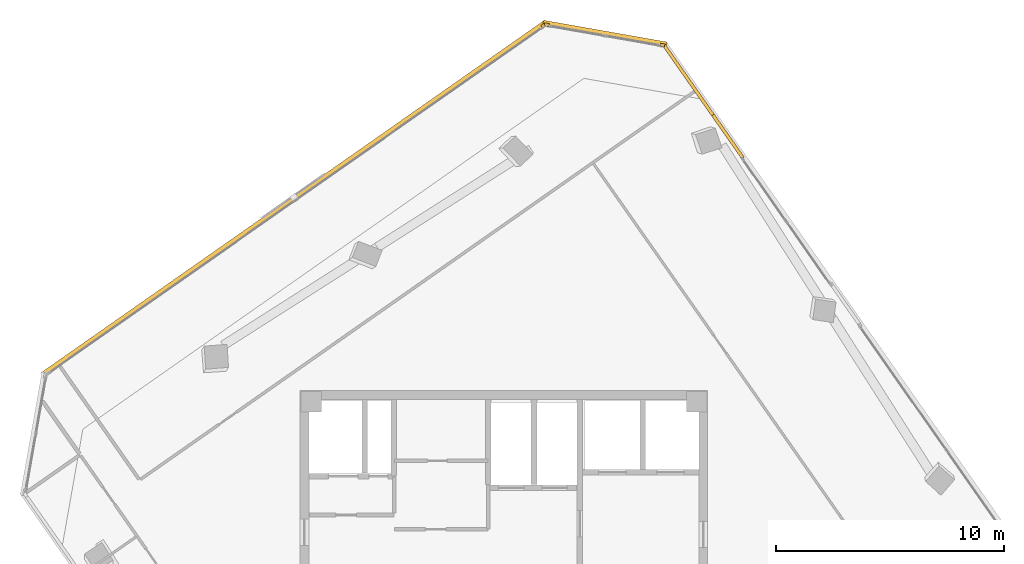
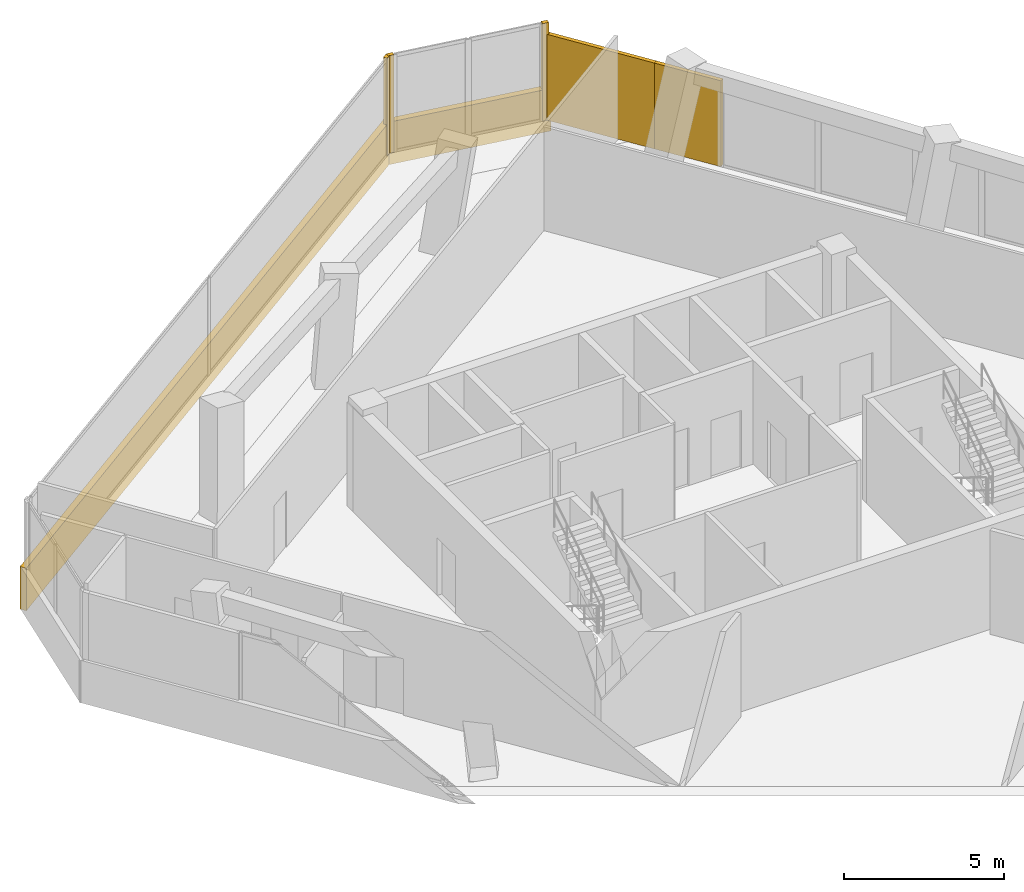
# One storey, part 15 of 15: 7 coverings.
"""IFC4 building model written with IfcOpenShell, lengths in metres."""

from ifc_helpers import new_model, si_unit, direction, frame, origin, origin_2d, place, context, subcontext, project, spatial, rectangle, extrude, source, transform, mapped, material, layer, layer_set, type_object, element, save


model = new_model("IFC4")

# Units and contexts
model_context = context("Model", 3, precision=1e-05, world=origin(), true_north=direction((0.0, 1.0)))
body_context = subcontext(model_context, "Body", "Model", "MODEL_VIEW")
ifc_project = project(units=[si_unit("LENGTHUNIT", "METRE"), si_unit("AREAUNIT", "SQUARE_METRE"), si_unit("VOLUMEUNIT", "CUBIC_METRE"), si_unit("PLANEANGLEUNIT", "RADIAN"), si_unit("MASSUNIT", "GRAM", prefix="KILO")], contexts=[model_context])

# Site, building, storey
site_placement = place(None, origin())
site = spatial("IfcSite", under=ifc_project, at=site_placement, CompositionType="ELEMENT")
building_placement = place(site_placement, origin())
building = spatial("IfcBuilding", under=site, at=building_placement, Name="Torre Montelarca", CompositionType="ELEMENT")
storey_placement = place(building_placement, frame((0.0, 0.0, 303.0)))
storey = spatial("IfcBuildingStorey", under=building, at=storey_placement, Name="L68", CompositionType="ELEMENT", Elevation=303.0)

# Coverings
ifc_material = material(Name="Bush-hammered warm white precast concrete C45/55", Category="concrete")
ifc_layer = layer(ifc_material, 0.139892578125, Name="Bush-hammered warm white precast concrete C45/55", Category="concrete")
ifc_layer_set = layer_set([ifc_layer], Name="Bush-hammered warm white precast concrete C45/55")
covering_type = type_object("IfcCoveringType", Name="COV-TRAY-CLAD", PredefinedType="CLADDING", material=ifc_layer_set)
shared_shape_1 = source(origin(), body_context, "Body", "SweptSolid", [
    extrude(rectangle(XDim=0.199951171875, YDim=0.139892578125, at=origin_2d()), origin(), (0.0, 0.0, 1.0), 3.719970703125),
])
for number, where, z_axis, x_axis, name in (
    (1, (24.947021484375, 55.067138671875, 0.0), (0.0, 0.0, 1.0), (-0.984808056084, 0.173646458853, 0.0), "L68 Architectural Column Pier Cladding E09-1"),
    (2, (19.883056640625, 55.9599609375, 0.0), (0.0, 0.0, 1.0), (-0.984808056084, 0.173646458853, 0.0), "L68 Architectural Column Pier Cladding E09-2"),
    (3, (19.7412109375, 55.9287109375, 0.0), (0.0, 0.0, 1.0), (-0.819153045367, -0.57357500666, 0.0), "L68 Architectural Column Pier Cladding E10-1"),
):
    element("IfcCovering", number, at=place(storey_placement, frame(where, z_axis=z_axis, x_axis=x_axis)), inside=storey, type_object=covering_type, Name=name, PredefinedType="CLADDING", context=body_context, shape_type="MappedRepresentation", body=[
        mapped(shared_shape_1, transform((0.0, 0.0, 0.0), scale=1.0)),
    ])
shared_shape_2 = source(origin(), body_context, "Body", "SweptSolid", [
    extrude(rectangle(XDim=5.493896484375, YDim=0.219970703125, at=origin_2d()), origin(), (0.0, 0.0, 1.0), 1.6201171875),
])
covering_1_placement = place(storey_placement, frame((22.42529296875, 55.57275390625, -0.449951171875), z_axis=(0.0, 0.0, 1.0), x_axis=(-0.984806843779, 0.173653334106, 0.0)))
element("IfcCovering", 4, at=covering_1_placement, inside=storey, type_object=covering_type, Name="L68 Architectural White Spandrel Tray Band TRYBOT-09", PredefinedType="CLADDING", context=body_context, shape_type="MappedRepresentation", body=[
    mapped(shared_shape_2, transform((0.0, 0.0, 0.0), scale=1.0)),
])
shared_shape_3 = source(origin(), body_context, "Body", "SweptSolid", [
    extrude(rectangle(XDim=26.920166015625, YDim=0.219970703125, at=origin_2d()), origin(), (0.0, 0.0, 1.0), 1.6201171875),
])
covering_2_placement = place(storey_placement, frame((8.8251953125, 48.3583984375, -0.449951171875), z_axis=(0.0, 0.0, 1.0), x_axis=(-0.819151043208, -0.57357786604, 0.0)))
element("IfcCovering", 5, at=covering_2_placement, inside=storey, type_object=covering_type, Name="L68 Architectural White Spandrel Tray Band TRYBOT-10", PredefinedType="CLADDING", context=body_context, shape_type="MappedRepresentation", body=[
    mapped(shared_shape_3, transform((0.0, 0.0, 0.0), scale=1.0)),
])
shared_shape_4 = source(origin(), body_context, "Body", "SweptSolid", [
    extrude(rectangle(XDim=2.29638671875, YDim=0.139892578125, at=origin_2d()), origin(), (0.0, 0.0, 1.0), 3.27490234375),
])
covering_3_placement = place(storey_placement, frame((27.816162109375, 51.06640625, 0.0), z_axis=(0.0, 0.0, 1.0), x_axis=(-0.573573576968, 0.819154046443, 0.0)))
element("IfcCovering", 6, at=covering_3_placement, inside=storey, type_object=covering_type, Name="L68 Architectural Column Pier Cladding E08-3", PredefinedType="CLADDING", context=body_context, shape_type="MappedRepresentation", body=[
    mapped(shared_shape_4, transform((0.0, 0.0, 0.0), scale=1.0)),
])
shared_shape_5 = source(origin(), body_context, "Body", "SweptSolid", [
    extrude(rectangle(XDim=3.840576171875, YDim=0.139892578125, at=origin_2d()), origin(), (0.0, 0.0, 1.0), 3.27490234375),
])
covering_4_placement = place(storey_placement, frame((26.113525390625, 53.498046875, 0.0), z_axis=(0.0, 0.0, 1.0), x_axis=(-0.573573576968, 0.819154046443, 0.0)))
element("IfcCovering", 7, at=covering_4_placement, inside=storey, type_object=covering_type, Name="L68 Architectural Column Pier Cladding E08-4", PredefinedType="CLADDING", context=body_context, shape_type="MappedRepresentation", body=[
    mapped(shared_shape_5, transform((0.0, 0.0, 0.0), scale=1.0)),
])

save(model, "model.ifc")
